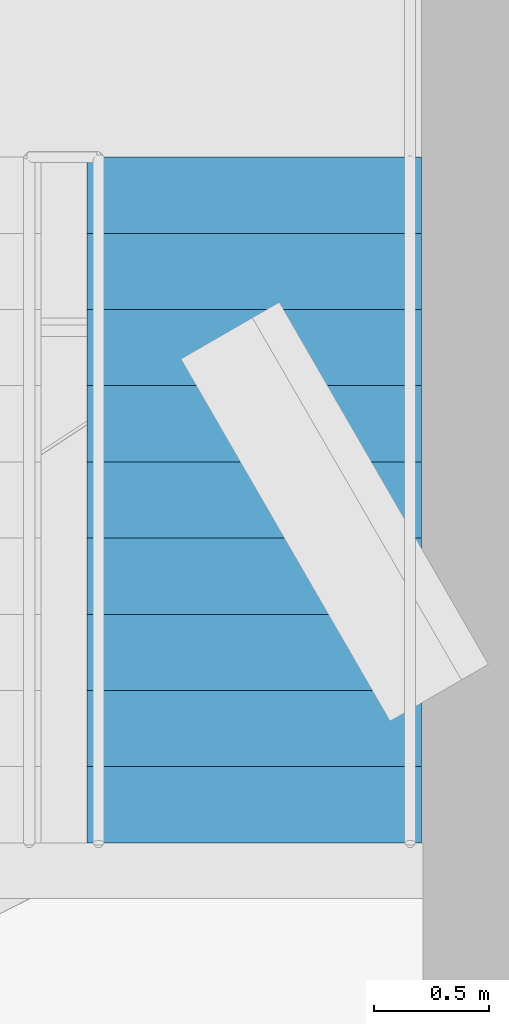
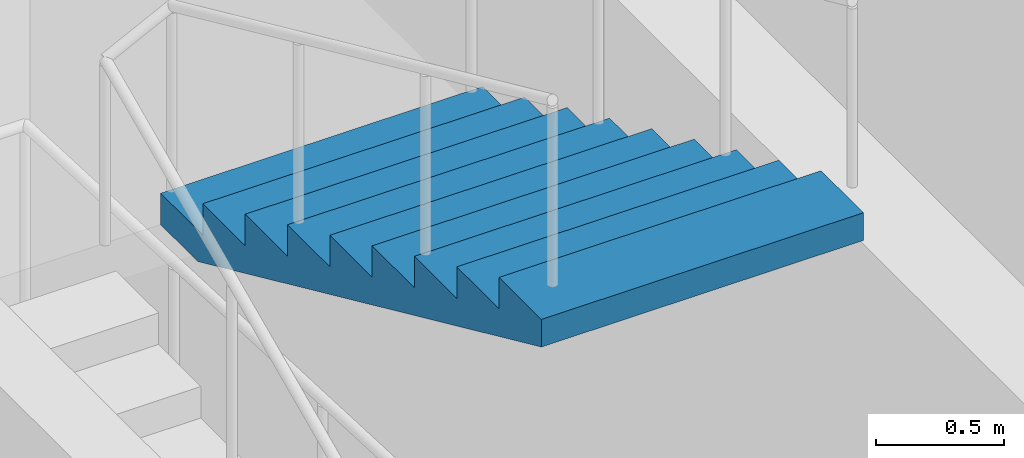
# One storey, part 35 of 36: 1 stair flight, 1 element without a shape of its own.
"""IFC4 building model written with IfcOpenShell, lengths in metres."""

from ifc_helpers import new_model, si_unit, direction, frame, origin, place, context, subcontext, project, spatial, polygons, material, type_object, element, aggregate, save


model = new_model("IFC4")

# Units and contexts
model_context = context("Model", 3, precision=1e-05, world=origin(), true_north=direction((0.0, 1.0)))
body_context = subcontext(model_context, "Body", "Model", "MODEL_VIEW")
ifc_project = project(units=[si_unit("LENGTHUNIT", "METRE"), si_unit("AREAUNIT", "SQUARE_METRE"), si_unit("VOLUMEUNIT", "CUBIC_METRE"), si_unit("PLANEANGLEUNIT", "RADIAN"), si_unit("MASSUNIT", "GRAM", prefix="KILO")], contexts=[model_context])

# Site, building, storey
site_placement = place(None, origin())
site = spatial("IfcSite", under=ifc_project, at=site_placement, CompositionType="ELEMENT")
building_placement = place(site_placement, origin())
building = spatial("IfcBuilding", under=site, at=building_placement, Name="Njiva Tower", CompositionType="ELEMENT")
storey_placement = place(building_placement, frame((0.0, 0.0, 337.8)))
storey = spatial("IfcBuildingStorey", under=building, at=storey_placement, Name="L77", CompositionType="ELEMENT", Elevation=337.8)

# Stair, stair flight
ifc_material = material(Name="Concrete C40/50", Category="concrete")
stair_type = type_object("IfcStairType", Name="ST3 Exit stair 1450", PredefinedType="HALF_TURN_STAIR", material=ifc_material)
stair_placement = place(storey_placement, origin())
stair = element("IfcStair", 1, at=stair_placement, inside=storey, type_object=stair_type, Name="Stair B", PredefinedType="DOUBLE_RETURN_STAIR")
stair_flight_type = type_object("IfcStairFlightType", Name="FL3 Stair flight 1450", PredefinedType="STRAIGHT", material=ifc_material)
stair_flight_placement = place(storey_placement, frame((13.375, 14.07, 4.5), z_axis=(0.0, 0.0, 1.0), x_axis=(0.0, -1.0, 0.0)))
stair_flight = element("IfcStairFlight", 2, at=stair_flight_placement, type_object=stair_flight_type, Name="ST-B flight 4", NumberOfRisers=10, NumberOfTreads=9, PredefinedType="STRAIGHT", RiserHeight=0.15, TreadLength=0.33, context=body_context, shape_type="Tessellation", body=[
    polygons([(0.0, 0.725, 0.0), (0.0, 0.3625, 0.0), (0.0, 0.0, 0.0), (0.0, -0.3625, 0.0), (0.0, -0.725, 0.0), (0.0, 0.725, 0.15), (0.0, 0.3625, 0.15), (0.0, 0.0, 0.15), (0.0, -0.3625, 0.15), (0.0, -0.725, 0.15), (0.33, 0.725, 0.15), (0.33, 0.3625, 0.15), (0.33, 0.0, 0.15), (0.33, -0.3625, 0.15), (0.33, -0.725, 0.15), (0.33, 0.725, 0.3), (0.33, 0.3625, 0.3), (0.33, 0.0, 0.3), (0.33, -0.3625, 0.3), (0.33, -0.725, 0.3), (0.66, 0.725, 0.3), (0.66, 0.3625, 0.3), (0.66, 0.0, 0.3), (0.66, -0.3625, 0.3), (0.66, -0.725, 0.3), (0.66, 0.725, 0.45), (0.66, 0.3625, 0.45), (0.66, 0.0, 0.45), (0.66, -0.3625, 0.45), (0.66, -0.725, 0.45), (0.99, 0.725, 0.45), (0.99, 0.3625, 0.45), (0.99, 0.0, 0.45), (0.99, -0.3625, 0.45), (0.99, -0.725, 0.45), (0.99, 0.725, 0.6), (0.99, 0.3625, 0.6), (0.99, 0.0, 0.6), (0.99, -0.3625, 0.6), (0.99, -0.725, 0.6), (1.32, 0.725, 0.6), (1.32, 0.3625, 0.6), (1.32, 0.0, 0.6), (1.32, -0.3625, 0.6), (1.32, -0.725, 0.6), (1.32, 0.725, 0.75), (1.32, 0.3625, 0.75), (1.32, 0.0, 0.75), (1.32, -0.3625, 0.75), (1.32, -0.725, 0.75), (1.65, 0.725, 0.75), (1.65, 0.3625, 0.75), (1.65, 0.0, 0.75), (1.65, -0.3625, 0.75), (1.65, -0.725, 0.75), (1.65, 0.725, 0.9), (1.65, 0.3625, 0.9), (1.65, 0.0, 0.9), (1.65, -0.3625, 0.9), (1.65, -0.725, 0.9), (1.98, 0.725, 0.9), (1.98, 0.3625, 0.9), (1.98, 0.0, 0.9), (1.98, -0.3625, 0.9), (1.98, -0.725, 0.9), (1.98, 0.725, 1.05), (1.98, 0.3625, 1.05), (1.98, 0.0, 1.05), (1.98, -0.3625, 1.05), (1.98, -0.725, 1.05), (2.31, 0.725, 1.05), (2.31, 0.3625, 1.05), (2.31, 0.0, 1.05), (2.31, -0.3625, 1.05), (2.31, -0.725, 1.05), (2.31, 0.725, 1.2), (2.31, 0.3625, 1.2), (2.31, 0.0, 1.2), (2.31, -0.3625, 1.2), (2.31, -0.725, 1.2), (2.64, 0.725, 1.2), (2.64, 0.3625, 1.2), (2.64, 0.0, 1.2), (2.64, -0.3625, 1.2), (2.64, -0.725, 1.2), (2.64, 0.725, 1.35), (2.64, 0.3625, 1.35), (2.64, 0.0, 1.35), (2.64, -0.3625, 1.35), (2.64, -0.725, 1.35), (2.97, 0.725, 1.35), (2.97, 0.3625, 1.35), (2.97, 0.0, 1.35), (2.97, -0.3625, 1.35), (2.97, -0.725, 1.35), (2.97, 0.725, 1.2182), (2.97, 0.3625, 1.2182), (2.97, 0.0, 1.2182), (2.97, -0.3625, 1.2182), (2.97, -0.725, 1.2182), (0.29, 0.725, 0.0), (0.29, 0.3625, 0.0), (0.29, 0.0, 0.0), (0.29, -0.3625, 0.0), (0.29, -0.725, 0.0)], [[[1, 6, 11, 16, 21, 26, 31, 36, 41, 46, 51, 56, 61, 66, 71, 76, 81, 86, 91, 96, 101]], [[105, 100, 95, 90, 85, 80, 75, 70, 65, 60, 55, 50, 45, 40, 35, 30, 25, 20, 15, 10, 5]], [[6, 1, 2, 7]], [[7, 2, 3, 8]], [[8, 3, 4, 9]], [[9, 4, 5, 10]], [[11, 6, 7, 12]], [[12, 7, 8, 13]], [[13, 8, 9, 14]], [[14, 9, 10, 15]], [[16, 11, 12, 17]], [[17, 12, 13, 18]], [[18, 13, 14, 19]], [[19, 14, 15, 20]], [[21, 16, 17, 22]], [[22, 17, 18, 23]], [[23, 18, 19, 24]], [[24, 19, 20, 25]], [[26, 21, 22, 27]], [[27, 22, 23, 28]], [[28, 23, 24, 29]], [[29, 24, 25, 30]], [[31, 26, 27, 32]], [[32, 27, 28, 33]], [[33, 28, 29, 34]], [[34, 29, 30, 35]], [[36, 31, 32, 37]], [[37, 32, 33, 38]], [[38, 33, 34, 39]], [[39, 34, 35, 40]], [[41, 36, 37, 42]], [[42, 37, 38, 43]], [[43, 38, 39, 44]], [[44, 39, 40, 45]], [[46, 41, 42, 47]], [[47, 42, 43, 48]], [[48, 43, 44, 49]], [[49, 44, 45, 50]], [[51, 46, 47, 52]], [[52, 47, 48, 53]], [[53, 48, 49, 54]], [[54, 49, 50, 55]], [[56, 51, 52, 57]], [[57, 52, 53, 58]], [[58, 53, 54, 59]], [[59, 54, 55, 60]], [[61, 56, 57, 62]], [[62, 57, 58, 63]], [[63, 58, 59, 64]], [[64, 59, 60, 65]], [[66, 61, 62, 67]], [[67, 62, 63, 68]], [[68, 63, 64, 69]], [[69, 64, 65, 70]], [[71, 66, 67, 72]], [[72, 67, 68, 73]], [[73, 68, 69, 74]], [[74, 69, 70, 75]], [[76, 71, 72, 77]], [[77, 72, 73, 78]], [[78, 73, 74, 79]], [[79, 74, 75, 80]], [[81, 76, 77, 82]], [[82, 77, 78, 83]], [[83, 78, 79, 84]], [[84, 79, 80, 85]], [[86, 81, 82, 87]], [[87, 82, 83, 88]], [[88, 83, 84, 89]], [[89, 84, 85, 90]], [[91, 86, 87, 92]], [[92, 87, 88, 93]], [[93, 88, 89, 94]], [[94, 89, 90, 95]], [[96, 91, 92, 97]], [[97, 92, 93, 98]], [[98, 93, 94, 99]], [[99, 94, 95, 100]], [[101, 96, 97, 102]], [[102, 97, 98, 103]], [[103, 98, 99, 104]], [[104, 99, 100, 105]], [[1, 101, 102, 2]], [[2, 102, 103, 3]], [[3, 103, 104, 4]], [[4, 104, 105, 5]]], closed=True),
])
aggregate(stair, [stair_flight])

save(model, "model.ifc")
